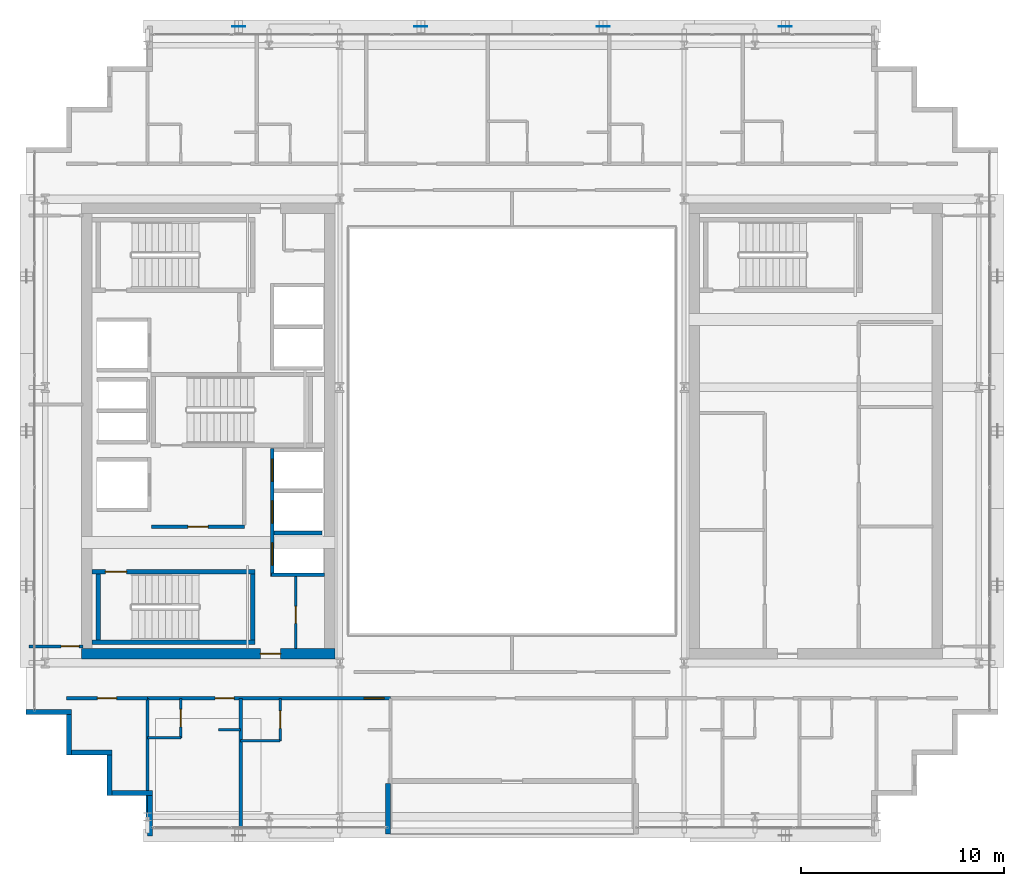
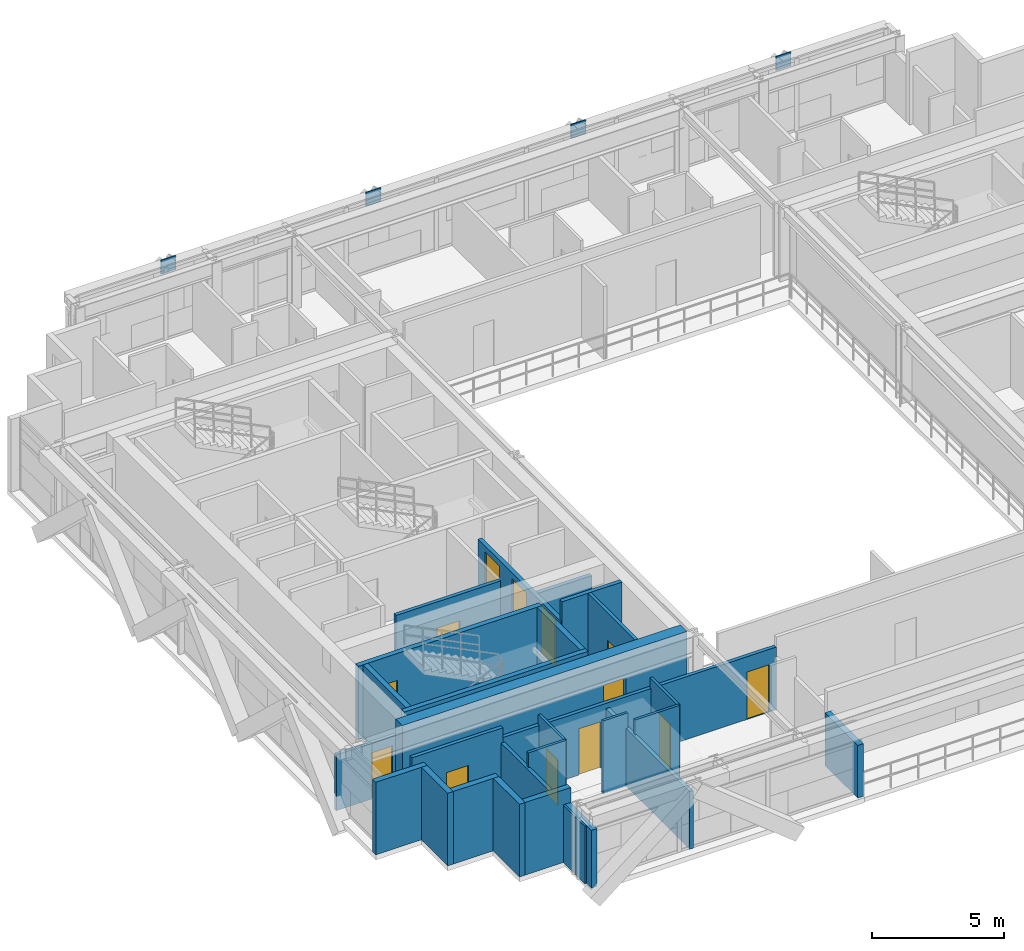
# One storey, part 23 of 31: 27 walls, 13 doors, 4 plates, 13 openings.
"""IFC4 building model written with IfcOpenShell, lengths in metres."""

from ifc_helpers import new_model, si_unit, direction, frame, frame_2d, origin, origin_2d, place, context, subcontext, project, spatial, rectangle, extrude, source, transform, mapped, material, layer, layer_set, type_object, element, fill, save


model = new_model("IFC4")

# Units and contexts
model_context = context("Model", 3, precision=1e-05, world=origin(), true_north=direction((0.0, 1.0)))
body_context = subcontext(model_context, "Body", "Model", "MODEL_VIEW")
ifc_project = project(units=[si_unit("LENGTHUNIT", "METRE"), si_unit("AREAUNIT", "SQUARE_METRE"), si_unit("VOLUMEUNIT", "CUBIC_METRE"), si_unit("PLANEANGLEUNIT", "RADIAN"), si_unit("MASSUNIT", "GRAM", prefix="KILO")], contexts=[model_context])

# Site, building, storey
site_placement = place(None, origin())
site = spatial("IfcSite", under=ifc_project, at=site_placement, CompositionType="ELEMENT")
building_placement = place(site_placement, origin())
building = spatial("IfcBuilding", under=site, at=building_placement, Name="Ocotamira Hotel", CompositionType="ELEMENT")
storey_placement = place(building_placement, frame((0.0, 0.0, 210.0)))
storey = spatial("IfcBuildingStorey", under=building, at=storey_placement, Name="L53", CompositionType="ELEMENT", Elevation=210.0)

# Plates
ifc_material_1 = material(Name="Pale-metal coated steel ASTM A572 Grade 50", Category="steel")
ifc_layer_1 = layer(ifc_material_1, 0.0400390625)
ifc_layer_set_1 = layer_set([ifc_layer_1], Name="Pale-metal coated steel ASTM A572 Grade 50")
plate_type = type_object("IfcPlateType", Name="PLT-GUSSET-40", PredefinedType="SHEET", material=ifc_layer_set_1)
shared_shape_1 = source(origin(), body_context, "Body", "SweptSolid", [
    extrude(rectangle(XDim=0.64990234375, YDim=0.0400390625, at=origin_2d()), origin(), (0.0, 0.0, 1.0), 0.64990234375),
])
for number, where, z_axis, x_axis, name in (
    (1, (18.5, 45.969970703125, 2.795166015625), (0.0, 0.0, 1.0), (1.0, 0.0, 0.0), "L53 Exoskeleton Diagrid N0.1 End Gusset B"),
    (2, (27.5, 45.969970703125, 2.795166015625), (0.0, 0.0, 1.0), (1.0, 0.0, 0.0), "L53 Exoskeleton Diagrid N1.1 End Gusset B"),
    (3, (36.5, 45.969970703125, 2.795166015625), (0.0, 0.0, 1.0), (1.0, 0.0, 0.0), "L53 Exoskeleton Diagrid N2.1 End Gusset B"),
    (4, (45.5, 45.969970703125, 2.795166015625), (0.0, 0.0, 1.0), (1.0, 0.0, 0.0), "L53 Exoskeleton Diagrid N3.1 End Gusset B"),
):
    element("IfcPlate", number, at=place(storey_placement, frame(where, z_axis=z_axis, x_axis=x_axis)), inside=storey, type_object=plate_type, Name=name, PredefinedType="SHEET", context=body_context, shape_type="MappedRepresentation", body=[
        mapped(shared_shape_1, transform((0.0, 0.0, 0.0), scale=1.0)),
    ])

# Wall, opening, door
ifc_material_2 = material(Name="Concrete C50/60", Category="concrete")
ifc_layer_2 = layer(ifc_material_2, 0.5)
ifc_layer_set_2 = layer_set([ifc_layer_2], Name="Concrete C50/60")
wall_type_1 = type_object("IfcWallType", Name="WL-CORE-500", PredefinedType="SHEAR", material=ifc_layer_set_2)
wall_1_placement = place(storey_placement, frame((10.75, 15.0, 0.0), z_axis=(0.0, 0.0, 1.0), x_axis=(1.0, 0.0, 0.0)))
wall_1 = element("IfcWall", 5, at=wall_1_placement, inside=storey, type_object=wall_type_1, Name="L53 Shear Core Wall WCORE-S", PredefinedType="SHEAR", context=body_context, shape_type="SweptSolid", body=[
    extrude(rectangle(XDim=12.5, YDim=0.5, at=frame_2d((6.25, 0.0))), origin(), (0.0, 0.0, 1.0), 3.3701171875),
])
opening_1_placement = place(wall_1_placement, frame((8.830078125, 0.0, 0.0)))
opening_1 = element("IfcOpeningElement", 6, at=opening_1_placement, cuts=wall_1, Name="Opening D-FR2", PredefinedType="OPENING", context=body_context, shape_type="SweptSolid", body=[
    extrude(rectangle(XDim=1.0, YDim=2.14990234375, at=frame_2d((0.5, 1.074951171875))), frame((0.0, 0.260009765625, 0.0), z_axis=(0.0, -1.0, 0.0), x_axis=(1.0, 0.0, 0.0)), (0.0, 0.0, 1.0), 0.52001953125),
])
ifc_material_3 = material(Name="Fire-rated acoustic timber-veneer door", Category="wood")
door_type_1 = type_object("IfcDoorType", Name="DR-FIRE-1000", OperationType="NOTDEFINED", PredefinedType="DOOR", material=ifc_material_3)
shared_shape_2 = source(origin(), body_context, "Body", "SweptSolid", [
    extrude(rectangle(XDim=1.0, YDim=2.14990234375, at=frame_2d((0.5, 1.074951171875))), frame((0.0, 0.02490234375, 0.0), z_axis=(0.0, -1.0, 0.0), x_axis=(1.0, 0.0, 0.0)), (0.0, 0.0, 1.0), 0.050048828125),
])
door_1_placement = place(opening_1_placement, origin())
door_1 = element("IfcDoor", 7, at=door_1_placement, inside=storey, type_object=door_type_1, Name="L53 Door ID-L53-WLOB-S-D [ID-L53-WLOB-S-D]", OperationType="SINGLE_SWING_LEFT", OverallHeight=2.14990234375, OverallWidth=1.0, PredefinedType="DOOR", context=body_context, shape_type="MappedRepresentation", body=[
    mapped(shared_shape_2, transform((0.0, 0.0, 0.0), scale=1.0)),
])
fill(opening_1, door_1)

# Walls
ifc_material_4 = material(Name="Precast concrete C45/55", Category="concrete")
ifc_layer_3 = layer(ifc_material_4, 0.25)
ifc_layer_set_3 = layer_set([ifc_layer_3], Name="Precast concrete C45/55")
wall_type_2 = type_object("IfcWallType", Name="WL-EXT-SER-250", PredefinedType="SOLIDWALL", material=ifc_layer_set_3)
wall_2_placement = place(storey_placement, frame((8.0, 12.125, 0.0), z_axis=(0.0, 0.0, 1.0), x_axis=(1.0, 0.0, 0.0)))
element("IfcWall", 8, at=wall_2_placement, inside=storey, type_object=wall_type_2, Name="L53 Serrated Corner Wall 19", PredefinedType="SOLIDWALL", context=body_context, shape_type="SweptSolid", body=[
    extrude(rectangle(XDim=2.25, YDim=0.25, at=frame_2d((1.125, 0.0))), origin(), (0.0, 0.0, 1.0), 3.3701171875),
])
for number, where, z_axis, x_axis, name in (
    (9, (10.125, 12.0, 0.0), (0.0, 0.0, 1.0), (0.0, -1.0, 0.0), "L53 Serrated Corner Wall 20"),
    (10, (10.25, 10.125, 0.0), (0.0, 0.0, 1.0), (1.0, 0.0, 0.0), "L53 Serrated Corner Wall 21"),
    (11, (12.125, 10.0, 0.0), (0.0, 0.0, 1.0), (0.0, -1.0, 0.0), "L53 Serrated Corner Wall 22"),
    (12, (12.25, 8.125, 0.0), (0.0, 0.0, 1.0), (1.0, 0.0, 0.0), "L53 Serrated Corner Wall 23"),
):
    element("IfcWall", number, at=place(storey_placement, frame(where, z_axis=z_axis, x_axis=x_axis)), inside=storey, type_object=wall_type_2, Name=name, PredefinedType="SOLIDWALL", context=body_context, shape_type="SweptSolid", body=[
        extrude(rectangle(XDim=2.0, YDim=0.25, at=frame_2d((1.0, 0.0))), origin(), (0.0, 0.0, 1.0), 3.3701171875),
    ])
wall_3_placement = place(storey_placement, frame((14.125, 8.0, 0.0), z_axis=(0.0, 0.0, 1.0), x_axis=(0.0, -1.0, 0.0)))
element("IfcWall", 13, at=wall_3_placement, inside=storey, type_object=wall_type_2, Name="L53 Serrated Corner Wall 24", PredefinedType="SOLIDWALL", context=body_context, shape_type="SweptSolid", body=[
    extrude(rectangle(XDim=2.0, YDim=0.25, at=frame_2d((1.0, 0.0))), origin(), (0.0, 0.0, 1.0), 2.677001953125),
])
wall_4_placement = place(storey_placement, frame((25.875, 6.10009765625, 0.0), z_axis=(0.0, 0.0, 1.0), x_axis=(0.0, 1.0, 0.0)))
element("IfcWall", 14, at=wall_4_placement, inside=storey, type_object=wall_type_2, Name="L53 Sky Terrace Return Wall 1L", PredefinedType="SOLIDWALL", context=body_context, shape_type="SweptSolid", body=[
    extrude(rectangle(XDim=2.5, YDim=0.25, at=frame_2d((1.25, 0.0))), origin(), (0.0, 0.0, 1.0), 2.443115234375),
])

# Wall, opening, door
ifc_material_5 = material(Name="Acoustic double-layer fire gypsum board partition", Category="gypsum")
ifc_layer_4 = layer(ifc_material_5, 0.159912109375)
ifc_layer_set_4 = layer_set([ifc_layer_4], Name="Acoustic double-layer fire gypsum board partition")
wall_type_3 = type_object("IfcWallType", Name="WL-FIRE-160", PredefinedType="PARTITIONING", material=ifc_layer_set_4)
wall_5_placement = place(storey_placement, frame((14.199951171875, 21.27001953125, 0.0), z_axis=(0.0, 0.0, 1.0), x_axis=(1.0, 0.0, 0.0)))
wall_5 = element("IfcWall", 15, at=wall_5_placement, inside=storey, type_object=wall_type_3, Name="L53 Interior Wall PW-L53-FSAE1-S", PredefinedType="PARTITIONING", context=body_context, shape_type="SweptSolid", body=[
    extrude(rectangle(XDim=4.580078125, YDim=0.159912109375, at=frame_2d((2.2900390625, 0.0))), origin(), (0.0, 0.0, 1.0), 3.3701171875),
])
opening_2_placement = place(wall_5_placement, frame((1.800048828125, 0.0, 0.0)))
opening_2 = element("IfcOpeningElement", 16, at=opening_2_placement, cuts=wall_5, Name="Opening D-FR2", PredefinedType="OPENING", context=body_context, shape_type="SweptSolid", body=[
    extrude(rectangle(XDim=1.0, YDim=2.14990234375, at=frame_2d((0.5, 1.074951171875))), frame((0.0, 0.08984375, 0.0), z_axis=(0.0, -1.0, 0.0), x_axis=(1.0, 0.0, 0.0)), (0.0, 0.0, 1.0), 0.179931640625),
])
door_2_placement = place(opening_2_placement, origin())
door_2 = element("IfcDoor", 17, at=door_2_placement, inside=storey, type_object=door_type_1, Name="L53 Door ID-L53-FSAE1-D [ID-L53-FSAE1-D]", OperationType="SINGLE_SWING_LEFT", OverallHeight=2.14990234375, OverallWidth=1.0, PredefinedType="DOOR", context=body_context, shape_type="MappedRepresentation", body=[
    mapped(shared_shape_2, transform((0.0, 0.0, 0.0), scale=1.0)),
])
fill(opening_2, door_2)

wall_6_placement = place(storey_placement, frame((10.0, 12.800048828125, 0.0), z_axis=(0.0, 0.0, 1.0), x_axis=(1.0, 0.0, 0.0)))
wall_6 = element("IfcWall", 18, at=wall_6_placement, inside=storey, type_object=wall_type_3, Name="L53 Interior Wall PW-L53-Z3E-CSW-CW", PredefinedType="PARTITIONING", context=body_context, shape_type="SweptSolid", body=[
    extrude(rectangle(XDim=4.0, YDim=0.159912109375, at=frame_2d((2.0, 0.0))), origin(), (0.0, 0.0, 1.0), 3.3701171875),
])
opening_3_placement = place(wall_6_placement, frame((1.52001953125, 0.0, 0.0)))
opening_3 = element("IfcOpeningElement", 19, at=opening_3_placement, cuts=wall_6, Name="Opening D-SV4", PredefinedType="OPENING", context=body_context, shape_type="SweptSolid", body=[
    extrude(rectangle(XDim=0.9599609375, YDim=2.14990234375, at=frame_2d((0.47998046875, 1.074951171875))), frame((0.0, 0.08984375, 0.0), z_axis=(0.0, -1.0, 0.0), x_axis=(1.0, 0.0, 0.0)), (0.0, 0.0, 1.0), 0.179931640625),
])
ifc_material_6 = material(Name="Fire-rated accessible walnut salon door", Category="wood")
door_type_2 = type_object("IfcDoorType", Name="DR-SERV-960", OperationType="NOTDEFINED", PredefinedType="DOOR", material=ifc_material_6)
shared_shape_3 = source(origin(), body_context, "Body", "SweptSolid", [
    extrude(rectangle(XDim=0.9599609375, YDim=2.14990234375, at=frame_2d((0.47998046875, 1.074951171875))), frame((0.0, 0.02490234375, 0.0), z_axis=(0.0, -1.0, 0.0), x_axis=(1.0, 0.0, 0.0)), (0.0, 0.0, 1.0), 0.050048828125),
])
door_3_placement = place(opening_3_placement, origin())
door_3 = element("IfcDoor", 20, at=door_3_placement, inside=storey, type_object=door_type_2, Name="L53 Door ID-L53-Z3E-CSW-CD [ID-L53-Z3E-CSW-CD]", OperationType="SINGLE_SWING_LEFT", OverallHeight=2.14990234375, OverallWidth=0.9599609375, PredefinedType="DOOR", context=body_context, shape_type="MappedRepresentation", body=[
    mapped(shared_shape_3, transform((0.0, 0.0, 0.0), scale=1.0)),
])
fill(opening_3, door_3)

# Wall, openings, doors
wall_7_placement = place(storey_placement, frame((14.0, 12.800048828125, 0.0), z_axis=(0.0, 0.0, 1.0), x_axis=(1.0, 0.0, 0.0)))
wall_7 = element("IfcWall", 21, at=wall_7_placement, inside=storey, type_object=wall_type_3, Name="L53 Interior Wall PW-L53-Z3ESW-CORRW", PredefinedType="PARTITIONING", context=body_context, shape_type="SweptSolid", body=[
    extrude(rectangle(XDim=12.0, YDim=0.159912109375, at=frame_2d((6.0, 0.0))), origin(), (0.0, 0.0, 1.0), 2.9130859375),
])
opening_4_placement = place(wall_7_placement, frame((3.340087890625, 0.0, 0.0)))
opening_4 = element("IfcOpeningElement", 22, at=opening_4_placement, cuts=wall_7, Name="Opening D-GR1", PredefinedType="OPENING", context=body_context, shape_type="SweptSolid", body=[
    extrude(rectangle(XDim=0.93994140625, YDim=2.14990234375, at=frame_2d((0.469970703125, 1.074951171875))), frame((0.0, 0.08984375, 0.0), z_axis=(0.0, -1.0, 0.0), x_axis=(1.0, 0.0, 0.0)), (0.0, 0.0, 1.0), 0.179931640625),
])
opening_5_placement = place(wall_7_placement, frame((10.699951171875, 0.0, 0.0)))
opening_5 = element("IfcOpeningElement", 23, at=opening_5_placement, cuts=wall_7, Name="Opening D-GR2", PredefinedType="OPENING", context=body_context, shape_type="SweptSolid", body=[
    extrude(rectangle(XDim=0.97998046875, YDim=2.199951171875, at=frame_2d((0.489990234375, 1.10009765625))), frame((0.0, 0.08984375, 0.0), z_axis=(0.0, -1.0, 0.0), x_axis=(1.0, 0.0, 0.0)), (0.0, 0.0, 1.0), 0.179931640625),
])
ifc_material_7 = material(Name="Solid-core walnut suite entrance fire door", Category="wood")
door_type_3 = type_object("IfcDoorType", Name="DR-GUEST-940", OperationType="NOTDEFINED", PredefinedType="DOOR", material=ifc_material_7)
shared_shape_4 = source(origin(), body_context, "Body", "SweptSolid", [
    extrude(rectangle(XDim=0.93994140625, YDim=2.14990234375, at=frame_2d((0.469970703125, 1.074951171875))), frame((0.0, 0.02490234375, 0.0), z_axis=(0.0, -1.0, 0.0), x_axis=(1.0, 0.0, 0.0)), (0.0, 0.0, 1.0), 0.050048828125),
])
door_4_placement = place(opening_4_placement, origin())
door_4 = element("IfcDoor", 24, at=door_4_placement, inside=storey, type_object=door_type_3, Name="L53 Door ID-L53-Z3ESW-RMD1 [ID-L53-Z3ESW-RMD1]", OperationType="SINGLE_SWING_LEFT", OverallHeight=2.14990234375, OverallWidth=0.93994140625, PredefinedType="DOOR", context=body_context, shape_type="MappedRepresentation", body=[
    mapped(shared_shape_4, transform((0.0, 0.0, 0.0), scale=1.0)),
])
fill(opening_4, door_4)
ifc_material_8 = material(Name="Solid-core walnut grand-suite entrance fire door", Category="wood")
door_type_4 = type_object("IfcDoorType", Name="DR-GUEST-980", OperationType="NOTDEFINED", PredefinedType="DOOR", material=ifc_material_8)
shared_shape_5 = source(origin(), body_context, "Body", "SweptSolid", [
    extrude(rectangle(XDim=0.97998046875, YDim=2.199951171875, at=frame_2d((0.489990234375, 1.10009765625))), frame((0.0, 0.02490234375, 0.0), z_axis=(0.0, -1.0, 0.0), x_axis=(1.0, 0.0, 0.0)), (0.0, 0.0, 1.0), 0.050048828125),
])
door_5_placement = place(opening_5_placement, origin())
door_5 = element("IfcDoor", 25, at=door_5_placement, inside=storey, type_object=door_type_4, Name="L53 Door ID-L53-Z3ESW-RMD2 [ID-L53-Z3ESW-RMD2]", OperationType="SINGLE_SWING_RIGHT", OverallHeight=2.199951171875, OverallWidth=0.97998046875, PredefinedType="DOOR", context=body_context, shape_type="MappedRepresentation", body=[
    mapped(shared_shape_5, transform((0.0, 0.0, 0.0), scale=1.0)),
])
fill(opening_5, door_5)

# Wall, opening, door
ifc_material_9 = material(Name="Moisture-resistant en-suite tile and gypsum partition", Category="gypsum")
ifc_layer_5 = layer(ifc_material_9, 0.1201171875)
ifc_layer_set_5 = layer_set([ifc_layer_5], Name="Moisture-resistant en-suite tile and gypsum partition")
wall_type_4 = type_object("IfcWallType", Name="WL-PART-120", PredefinedType="PARTITIONING", material=ifc_layer_set_5)
wall_8_placement = place(storey_placement, frame((15.64990234375, 10.85009765625, 0.0), z_axis=(0.0, 0.0, 1.0), x_axis=(0.0, 1.0, 0.0)))
wall_8 = element("IfcWall", 26, at=wall_8_placement, inside=storey, type_object=wall_type_4, Name="L53 Interior Wall PW-L53-Z3ESW-BAE1", PredefinedType="PARTITIONING", context=body_context, shape_type="SweptSolid", body=[
    extrude(rectangle(XDim=1.949951171875, YDim=0.1201171875, at=frame_2d((0.97509765625, 0.0))), origin(), (0.0, 0.0, 1.0), 3.3701171875),
])
opening_6_placement = place(wall_8_placement, frame((0.544921875, 0.0, 0.0)))
opening_6 = element("IfcOpeningElement", 27, at=opening_6_placement, cuts=wall_8, Name="Opening D-BA1", PredefinedType="OPENING", context=body_context, shape_type="SweptSolid", body=[
    extrude(rectangle(XDim=0.860107421875, YDim=2.10009765625, at=frame_2d((0.43017578125, 1.050048828125))), frame((0.0, 0.070068359375, 0.0), z_axis=(0.0, -1.0, 0.0), x_axis=(1.0, 0.0, 0.0)), (0.0, 0.0, 1.0), 0.14013671875),
])
ifc_material_10 = material(Name="Moisture-sealed en-suite timber door", Category="wood")
door_type_5 = type_object("IfcDoorType", Name="DR-BATH-860", OperationType="NOTDEFINED", PredefinedType="DOOR", material=ifc_material_10)
shared_shape_6 = source(origin(), body_context, "Body", "SweptSolid", [
    extrude(rectangle(XDim=0.860107421875, YDim=2.10009765625, at=frame_2d((0.43017578125, 1.050048828125))), frame((0.0, 0.02490234375, 0.0), z_axis=(0.0, -1.0, 0.0), x_axis=(1.0, 0.0, 0.0)), (0.0, 0.0, 1.0), 0.050048828125),
])
door_6_placement = place(opening_6_placement, origin())
door_6 = element("IfcDoor", 28, at=door_6_placement, inside=storey, type_object=door_type_5, Name="L53 Door ID-L53-Z3ESW-BAD1 [ID-L53-Z3ESW-BAD1]", OperationType="SINGLE_SWING_RIGHT", OverallHeight=2.10009765625, OverallWidth=0.860107421875, PredefinedType="DOOR", context=body_context, shape_type="MappedRepresentation", body=[
    mapped(shared_shape_6, transform((0.0, 0.0, 0.0), scale=1.0)),
])
fill(opening_6, door_6)

# Walls
wall_9_placement = place(storey_placement, frame((14.0, 10.85009765625, 0.0), z_axis=(0.0, 0.0, 1.0), x_axis=(1.0, 0.0, 0.0)))
element("IfcWall", 29, at=wall_9_placement, inside=storey, type_object=wall_type_4, Name="L53 Interior Wall PW-L53-Z3ESW-BAS1", PredefinedType="PARTITIONING", context=body_context, shape_type="SweptSolid", body=[
    extrude(rectangle(XDim=1.64990234375, YDim=0.1201171875, at=frame_2d((0.824951171875, 0.0))), origin(), (0.0, 0.0, 1.0), 3.3701171875),
])
wall_10_placement = place(storey_placement, frame((17.5, 11.25, 0.0), z_axis=(0.0, 0.0, 1.0), x_axis=(1.0, 0.0, 0.0)))
element("IfcWall", 30, at=wall_10_placement, inside=storey, type_object=wall_type_4, Name="L53 Interior Wall PW-L53-Z3ESW-DRN1", PredefinedType="PARTITIONING", context=body_context, shape_type="SweptSolid", body=[
    extrude(rectangle(XDim=1.10009765625, YDim=0.1201171875, at=frame_2d((0.550048828125, 0.0))), origin(), (0.0, 0.0, 1.0), 3.3701171875),
])

# Wall, opening, door
wall_11_placement = place(storey_placement, frame((20.550048828125, 10.699951171875, 0.0), z_axis=(0.0, 0.0, 1.0), x_axis=(0.0, 1.0, 0.0)))
wall_11 = element("IfcWall", 31, at=wall_11_placement, inside=storey, type_object=wall_type_4, Name="L53 Interior Wall PW-L53-Z3ESW-BAE2", PredefinedType="PARTITIONING", context=body_context, shape_type="SweptSolid", body=[
    extrude(rectangle(XDim=2.10009765625, YDim=0.1201171875, at=frame_2d((1.050048828125, 0.0))), origin(), (0.0, 0.0, 1.0), 3.3701171875),
])
opening_7_placement = place(wall_11_placement, frame((0.6201171875, 0.0, 0.0)))
opening_7 = element("IfcOpeningElement", 32, at=opening_7_placement, cuts=wall_11, Name="Opening D-BA1", PredefinedType="OPENING", context=body_context, shape_type="SweptSolid", body=[
    extrude(rectangle(XDim=0.860107421875, YDim=2.10009765625, at=frame_2d((0.43017578125, 1.050048828125))), frame((0.0, 0.070068359375, 0.0), z_axis=(0.0, -1.0, 0.0), x_axis=(1.0, 0.0, 0.0)), (0.0, 0.0, 1.0), 0.14013671875),
])
door_7_placement = place(opening_7_placement, origin())
door_7 = element("IfcDoor", 33, at=door_7_placement, inside=storey, type_object=door_type_5, Name="L53 Door ID-L53-Z3ESW-BAD2 [ID-L53-Z3ESW-BAD2]", OperationType="SINGLE_SWING_LEFT", OverallHeight=2.10009765625, OverallWidth=0.860107421875, PredefinedType="DOOR", context=body_context, shape_type="MappedRepresentation", body=[
    mapped(shared_shape_6, transform((0.0, 0.0, 0.0), scale=1.0)),
])
fill(opening_7, door_7)

# Wall
wall_12_placement = place(storey_placement, frame((18.60009765625, 10.699951171875, 0.0), z_axis=(0.0, 0.0, 1.0), x_axis=(1.0, 0.0, 0.0)))
element("IfcWall", 34, at=wall_12_placement, inside=storey, type_object=wall_type_4, Name="L53 Interior Wall PW-L53-Z3ESW-BAS2", PredefinedType="PARTITIONING", context=body_context, shape_type="SweptSolid", body=[
    extrude(rectangle(XDim=1.949951171875, YDim=0.1201171875, at=frame_2d((0.97509765625, 0.0))), origin(), (0.0, 0.0, 1.0), 3.3701171875),
])

# Wall, opening, door
ifc_material_11 = material(Name="Acoustic hospitality gypsum board partition", Category="gypsum")
ifc_layer_6 = layer(ifc_material_11, 0.14208984375)
ifc_layer_set_6 = layer_set([ifc_layer_6], Name="Acoustic hospitality gypsum board partition")
wall_type_5 = type_object("IfcWallType", Name="WL-PART-142", PredefinedType="PARTITIONING", material=ifc_layer_set_6)
wall_13_placement = place(storey_placement, frame((21.320068359375, 15.25, 0.0), z_axis=(0.0, 0.0, 1.0), x_axis=(0.0, 1.0, 0.0)))
wall_13 = element("IfcWall", 35, at=wall_13_placement, inside=storey, type_object=wall_type_5, Name="L53 Interior Wall PW-L53-WC-SE-W", PredefinedType="PARTITIONING", context=body_context, shape_type="SweptSolid", body=[
    extrude(rectangle(XDim=3.590087890625, YDim=0.14208984375, at=frame_2d((1.794921875, 0.0))), origin(), (0.0, 0.0, 1.0), 3.3701171875),
])
opening_8_placement = place(wall_13_placement, frame((1.25, 0.0, 0.0)))
opening_8 = element("IfcOpeningElement", 36, at=opening_8_placement, cuts=wall_13, Name="Opening D-SV1", PredefinedType="OPENING", context=body_context, shape_type="SweptSolid", body=[
    extrude(rectangle(XDim=0.840087890625, YDim=2.10009765625, at=frame_2d((0.419921875, 1.050048828125))), frame((0.0, 0.0810546875, 0.0), z_axis=(0.0, -1.0, 0.0), x_axis=(1.0, 0.0, 0.0)), (0.0, 0.0, 1.0), 0.162109375),
])
ifc_material_12 = material(Name="Fire-rated painted steel service door", Category="steel")
door_type_6 = type_object("IfcDoorType", Name="DR-SERV-840", OperationType="NOTDEFINED", PredefinedType="DOOR", material=ifc_material_12)
shared_shape_7 = source(origin(), body_context, "Body", "SweptSolid", [
    extrude(rectangle(XDim=0.840087890625, YDim=2.10009765625, at=frame_2d((0.419921875, 1.050048828125))), frame((0.0, 0.02490234375, 0.0), z_axis=(0.0, -1.0, 0.0), x_axis=(1.0, 0.0, 0.0)), (0.0, 0.0, 1.0), 0.050048828125),
])
door_8_placement = place(opening_8_placement, origin())
door_8 = element("IfcDoor", 37, at=door_8_placement, inside=storey, type_object=door_type_6, Name="L53 Door ID-L53-WC-SE-D [ID-L53-WC-SE-D]", OperationType="SINGLE_SWING_RIGHT", OverallHeight=2.10009765625, OverallWidth=0.840087890625, PredefinedType="DOOR", context=body_context, shape_type="MappedRepresentation", body=[
    mapped(shared_shape_7, transform((0.0, 0.0, 0.0), scale=1.0)),
])
fill(opening_8, door_8)

ifc_layer_7 = layer(ifc_material_11, 0.14990234375)
ifc_layer_set_7 = layer_set([ifc_layer_7], Name="Acoustic hospitality gypsum board partition")
wall_type_6 = type_object("IfcWallType", Name="WL-PART-150", PredefinedType="PARTITIONING", material=ifc_layer_set_7)
wall_14_placement = place(storey_placement, frame((8.159912109375, 15.360107421875, 0.0), z_axis=(0.0, 0.0, 1.0), x_axis=(1.0, 0.0, 0.0)))
wall_14 = element("IfcWall", 38, at=wall_14_placement, inside=storey, type_object=wall_type_6, Name="L53 Interior Wall PW-L53-Z3E-WF-WS", PredefinedType="PARTITIONING", context=body_context, shape_type="SweptSolid", body=[
    extrude(rectangle(XDim=2.66015625, YDim=0.14990234375, at=frame_2d((1.330078125, 0.0))), origin(), (0.0, 0.0, 1.0), 2.591064453125),
])
opening_9_placement = place(wall_14_placement, frame((1.580078125, 0.0, 0.0)))
opening_9 = element("IfcOpeningElement", 39, at=opening_9_placement, cuts=wall_14, Name="Opening D-SV2", PredefinedType="OPENING", context=body_context, shape_type="SweptSolid", body=[
    extrude(rectangle(XDim=0.8798828125, YDim=2.14990234375, at=frame_2d((0.43994140625, 1.074951171875))), frame((0.0, 0.0849609375, 0.0), z_axis=(0.0, -1.0, 0.0), x_axis=(1.0, 0.0, 0.0)), (0.0, 0.0, 1.0), 0.169921875),
])
door_type_7 = type_object("IfcDoorType", Name="DR-SERV-880", OperationType="NOTDEFINED", PredefinedType="DOOR", material=ifc_material_12)
shared_shape_8 = source(origin(), body_context, "Body", "SweptSolid", [
    extrude(rectangle(XDim=0.8798828125, YDim=2.14990234375, at=frame_2d((0.43994140625, 1.074951171875))), frame((0.0, 0.02490234375, 0.0), z_axis=(0.0, -1.0, 0.0), x_axis=(1.0, 0.0, 0.0)), (0.0, 0.0, 1.0), 0.050048828125),
])
door_9_placement = place(opening_9_placement, origin())
door_9 = element("IfcDoor", 40, at=door_9_placement, inside=storey, type_object=door_type_7, Name="L53 Door ID-L53-Z3E-WF-DS [ID-L53-Z3E-WF-DS]", OperationType="SINGLE_SWING_LEFT", OverallHeight=2.14990234375, OverallWidth=0.8798828125, PredefinedType="DOOR", context=body_context, shape_type="MappedRepresentation", body=[
    mapped(shared_shape_8, transform((0.0, 0.0, 0.0), scale=1.0)),
])
fill(opening_9, door_9)

# Walls
ifc_material_13 = material(Name="Acoustic double-stud hospitality gypsum partition", Category="gypsum")
ifc_layer_8 = layer(ifc_material_13, 0.159912109375)
ifc_layer_set_8 = layer_set([ifc_layer_8], Name="Acoustic double-stud hospitality gypsum partition")
wall_type_7 = type_object("IfcWallType", Name="WL-PART-160", PredefinedType="PARTITIONING", material=ifc_layer_set_8)
for number, where, z_axis, x_axis, name in (
    (41, (14.0, 6.360107421875, 0.0), (0.0, 0.0, 1.0), (0.0, 1.0, 0.0), "L53 Interior Wall PW-L53-Z3ESW-PW0"),
    (42, (18.60009765625, 6.360107421875, 0.0), (0.0, 0.0, 1.0), (0.0, 1.0, 0.0), "L53 Interior Wall PW-L53-Z3ESW-PW1"),
):
    element("IfcWall", number, at=place(storey_placement, frame(where, z_axis=z_axis, x_axis=x_axis)), inside=storey, type_object=wall_type_7, Name=name, PredefinedType="PARTITIONING", context=body_context, shape_type="SweptSolid", body=[
        extrude(rectangle(XDim=6.43994140625, YDim=0.159912109375, at=frame_2d((3.219970703125, 0.0))), origin(), (0.0, 0.0, 1.0), 2.677001953125),
    ])

# Wall, openings, doors
ifc_material_14 = material(Name="Fire-rated gypsum shaftliner board assembly", Category="gypsum")
ifc_layer_9 = layer(ifc_material_14, 0.179931640625)
ifc_layer_set_9 = layer_set([ifc_layer_9], Name="Fire-rated gypsum shaftliner board assembly")
wall_type_8 = type_object("IfcWallType", Name="WL-SHAFT-180", PredefinedType="SOLIDWALL", material=ifc_layer_set_9)
wall_15_placement = place(storey_placement, frame((20.159912109375, 18.820068359375, 0.0), z_axis=(0.0, 0.0, 1.0), x_axis=(0.0, 1.0, 0.0)))
wall_15 = element("IfcWall", 43, at=wall_15_placement, inside=storey, type_object=wall_type_8, Name="L53 Interior Wall PW-L53-LFW-BANK-high-F", PredefinedType="SOLIDWALL", context=body_context, shape_type="SweptSolid", body=[
    extrude(rectangle(XDim=6.31982421875, YDim=0.179931640625, at=frame_2d((3.159912109375, 0.0))), origin(), (0.0, 0.0, 1.0), 2.469970703125),
])
opening_10_placement = place(wall_15_placement, frame((0.554931640625, 0.0, 0.0)))
opening_10 = element("IfcOpeningElement", 44, at=opening_10_placement, cuts=wall_15, Name="Opening LD-LF-P7", PredefinedType="OPENING", context=body_context, shape_type="SweptSolid", body=[
    extrude(rectangle(XDim=1.10009765625, YDim=2.199951171875, at=frame_2d((0.550048828125, 1.10009765625))), frame((0.0, 0.10009765625, 0.0), z_axis=(0.0, -1.0, 0.0), x_axis=(1.0, 0.0, 0.0)), (0.0, 0.0, 1.0), 0.199951171875),
])
opening_11_placement = place(wall_15_placement, frame((2.635009765625, 0.0, 0.0)))
opening_11 = element("IfcOpeningElement", 45, at=opening_11_placement, cuts=wall_15, Name="Opening LD-LF-P8", PredefinedType="OPENING", context=body_context, shape_type="SweptSolid", body=[
    extrude(rectangle(XDim=1.10009765625, YDim=2.199951171875, at=frame_2d((0.550048828125, 1.10009765625))), frame((0.0, 0.10009765625, 0.0), z_axis=(0.0, -1.0, 0.0), x_axis=(1.0, 0.0, 0.0)), (0.0, 0.0, 1.0), 0.199951171875),
])
opening_12_placement = place(wall_15_placement, frame((4.68994140625, 0.0, 0.0)))
opening_12 = element("IfcOpeningElement", 46, at=opening_12_placement, cuts=wall_15, Name="Opening LD-LF-P9", PredefinedType="OPENING", context=body_context, shape_type="SweptSolid", body=[
    extrude(rectangle(XDim=1.10009765625, YDim=2.199951171875, at=frame_2d((0.550048828125, 1.10009765625))), frame((0.0, 0.10009765625, 0.0), z_axis=(0.0, -1.0, 0.0), x_axis=(1.0, 0.0, 0.0)), (0.0, 0.0, 1.0), 0.199951171875),
])
ifc_material_15 = material(Name="Brushed pale-metal stainless elevator landing door", Category="steel")
door_type_8 = type_object("IfcDoorType", Name="DR-LIFT-1100", OperationType="NOTDEFINED", PredefinedType="DOOR", material=ifc_material_15)
shared_shape_9 = source(origin(), body_context, "Body", "SweptSolid", [
    extrude(rectangle(XDim=1.10009765625, YDim=2.199951171875, at=frame_2d((0.550048828125, 1.10009765625))), frame((0.0, 0.02490234375, 0.0), z_axis=(0.0, -1.0, 0.0), x_axis=(1.0, 0.0, 0.0)), (0.0, 0.0, 1.0), 0.050048828125),
])
door_10_placement = place(opening_10_placement, origin())
door_10 = element("IfcDoor", 47, at=door_10_placement, inside=storey, type_object=door_type_8, Name="L53 Landing Door LD-LF-P7 [ID-L53-LD-LF-P7]", OperationType="DOUBLE_DOOR_SLIDING", OverallHeight=2.199951171875, OverallWidth=1.10009765625, PredefinedType="DOOR", context=body_context, shape_type="MappedRepresentation", body=[
    mapped(shared_shape_9, transform((0.0, 0.0, 0.0), scale=1.0)),
])
fill(opening_10, door_10)
door_11_placement = place(opening_11_placement, origin())
door_11 = element("IfcDoor", 48, at=door_11_placement, inside=storey, type_object=door_type_8, Name="L53 Landing Door LD-LF-P8 [ID-L53-LD-LF-P8]", OperationType="DOUBLE_DOOR_SLIDING", OverallHeight=2.199951171875, OverallWidth=1.10009765625, PredefinedType="DOOR", context=body_context, shape_type="MappedRepresentation", body=[
    mapped(shared_shape_9, transform((0.0, 0.0, 0.0), scale=1.0)),
])
fill(opening_11, door_11)
door_12_placement = place(opening_12_placement, origin())
door_12 = element("IfcDoor", 49, at=door_12_placement, inside=storey, type_object=door_type_8, Name="L53 Landing Door LD-LF-P9 [ID-L53-LD-LF-P9]", OperationType="DOUBLE_DOOR_SLIDING", OverallHeight=2.199951171875, OverallWidth=1.10009765625, PredefinedType="DOOR", context=body_context, shape_type="MappedRepresentation", body=[
    mapped(shared_shape_9, transform((0.0, 0.0, 0.0), scale=1.0)),
])
fill(opening_12, door_12)

# Walls
wall_16_placement = place(storey_placement, frame((20.1201171875, 18.909912109375, 0.0), z_axis=(0.0, 0.0, 1.0), x_axis=(1.0, 0.0, 0.0)))
element("IfcWall", 50, at=wall_16_placement, inside=storey, type_object=wall_type_8, Name="L53 Interior Wall PW-L53-LFW-BANK-high-S", PredefinedType="SOLIDWALL", context=body_context, shape_type="SweptSolid", body=[
    extrude(rectangle(XDim=2.6298828125, YDim=0.179931640625, at=frame_2d((1.31494140625, 0.0))), origin(), (0.0, 0.0, 1.0), 3.3701171875),
])
wall_17_placement = place(storey_placement, frame((20.25, 20.965087890625, 0.0), z_axis=(0.0, 0.0, 1.0), x_axis=(1.0, 0.0, 0.0)))
element("IfcWall", 51, at=wall_17_placement, inside=storey, type_object=wall_type_8, Name="L53 Interior Wall PW-L53-LFW-DIV-LF-P7", PredefinedType="SOLIDWALL", context=body_context, shape_type="SweptSolid", body=[
    extrude(rectangle(XDim=2.360107421875, YDim=0.179931640625, at=frame_2d((1.18017578125, 0.0))), origin(), (0.0, 0.0, 1.0), 2.469970703125),
])
ifc_layer_10 = layer(ifc_material_2, 0.219970703125)
ifc_layer_set_10 = layer_set([ifc_layer_10], Name="Concrete C50/60")
wall_type_9 = type_object("IfcWallType", Name="WL-STAIR-220", PredefinedType="SHEAR", material=ifc_layer_set_10)
wall_18_placement = place(storey_placement, frame((11.25, 15.56005859375, 0.0), z_axis=(0.0, 0.0, 1.0), x_axis=(1.0, 0.0, 0.0)))
element("IfcWall", 52, at=wall_18_placement, inside=storey, type_object=wall_type_9, Name="L53 Stair Shaft Structural Wall ST-1-S", PredefinedType="SHEAR", context=body_context, shape_type="SweptSolid", body=[
    extrude(rectangle(XDim=8.06005859375, YDim=0.219970703125, at=frame_2d((4.030029296875, 0.0))), origin(), (0.0, 0.0, 1.0), 3.39990234375),
])

# Wall, opening, door
wall_19_placement = place(storey_placement, frame((11.25, 19.06005859375, 0.0), z_axis=(0.0, 0.0, 1.0), x_axis=(1.0, 0.0, 0.0)))
wall_19 = element("IfcWall", 53, at=wall_19_placement, inside=storey, type_object=wall_type_9, Name="L53 Stair Shaft Structural Wall ST-1-N", PredefinedType="SHEAR", context=body_context, shape_type="SweptSolid", body=[
    extrude(rectangle(XDim=8.06005859375, YDim=0.219970703125, at=frame_2d((4.030029296875, 0.0))), origin(), (0.0, 0.0, 1.0), 3.39990234375),
])
opening_13_placement = place(wall_19_placement, frame((0.669921875, 0.0, 0.0)))
opening_13 = element("IfcOpeningElement", 54, at=opening_13_placement, cuts=wall_19, Name="Opening D-ST2", PredefinedType="OPENING", context=body_context, shape_type="SweptSolid", body=[
    extrude(rectangle(XDim=1.050048828125, YDim=2.14990234375, at=frame_2d((0.52490234375, 1.074951171875))), frame((0.0, 0.1201171875, 0.0), z_axis=(0.0, -1.0, 0.0), x_axis=(1.0, 0.0, 0.0)), (0.0, 0.0, 1.0), 0.239990234375),
])
ifc_material_16 = material(Name="Insulated painted hollow-metal fire exit door", Category="steel")
door_type_9 = type_object("IfcDoorType", Name="DR-STAIR-1050", OperationType="NOTDEFINED", PredefinedType="DOOR", material=ifc_material_16)
shared_shape_10 = source(origin(), body_context, "Body", "SweptSolid", [
    extrude(rectangle(XDim=1.050048828125, YDim=2.14990234375, at=frame_2d((0.52490234375, 1.074951171875))), frame((0.0, 0.02490234375, 0.0), z_axis=(0.0, -1.0, 0.0), x_axis=(1.0, 0.0, 0.0)), (0.0, 0.0, 1.0), 0.050048828125),
])
door_13_placement = place(opening_13_placement, origin())
door_13 = element("IfcDoor", 55, at=door_13_placement, inside=storey, type_object=door_type_9, Name="L53 Door ID-L53-STD-ST-1 [ID-L53-STD-ST-1]", OperationType="SINGLE_SWING_RIGHT", OverallHeight=2.14990234375, OverallWidth=1.050048828125, PredefinedType="DOOR", context=body_context, shape_type="MappedRepresentation", body=[
    mapped(shared_shape_10, transform((0.0, 0.0, 0.0), scale=1.0)),
])
fill(opening_13, door_13)

# Walls
for number, where, z_axis, x_axis, name in (
    (56, (11.56005859375, 15.669921875, 0.0), (0.0, 0.0, 1.0), (0.0, 1.0, 0.0), "L53 Stair Shaft Structural Wall ST-1-W"),
    (57, (19.199951171875, 15.669921875, 0.0), (0.0, 0.0, 1.0), (0.0, 1.0, 0.0), "L53 Stair Shaft Structural Wall ST-1-E"),
):
    element("IfcWall", number, at=place(storey_placement, frame(where, z_axis=z_axis, x_axis=x_axis)), inside=storey, type_object=wall_type_9, Name=name, PredefinedType="SHEAR", context=body_context, shape_type="SweptSolid", body=[
        extrude(rectangle(XDim=3.280029296875, YDim=0.219970703125, at=frame_2d((1.64013671875, 0.0))), origin(), (0.0, 0.0, 1.0), 3.39990234375),
    ])

save(model, "model.ifc")
